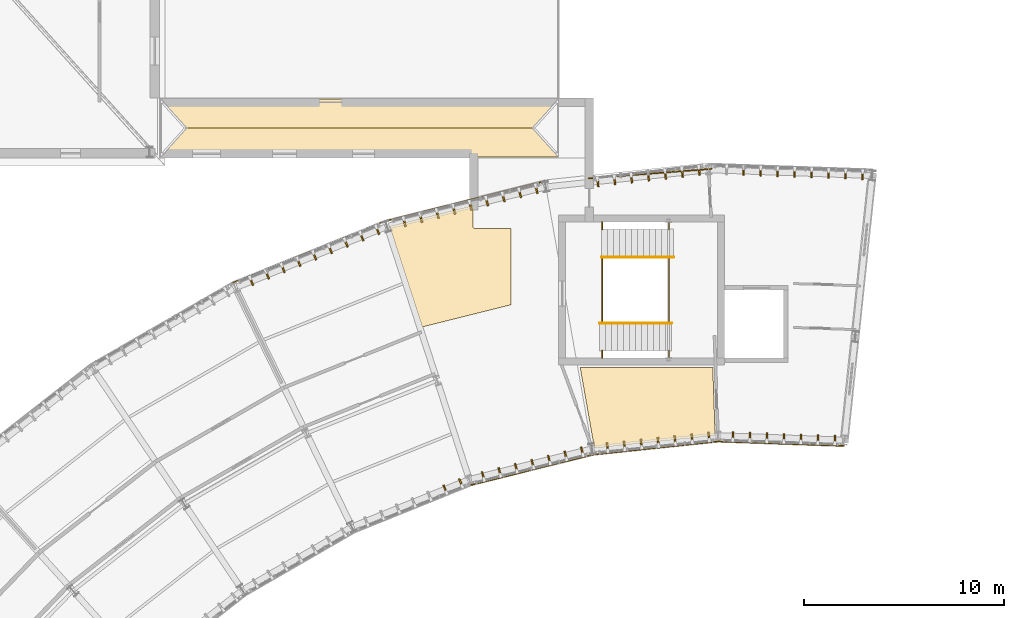
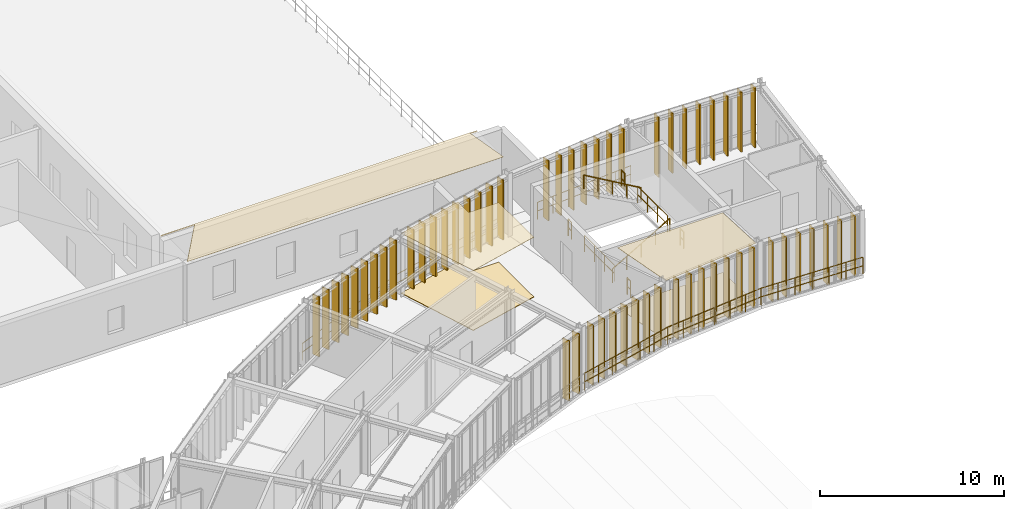
# One storey, part 56 of 57: 62 coverings, 14 railings.
"""IFC4 building model written with IfcOpenShell, lengths in metres."""

from ifc_helpers import new_model, si_unit, direction, frame, origin, origin_2d, place, context, subcontext, project, spatial, polyline, rectangle, circle, outline, extrude, material, layer, layer_set, type_object, element, save


model = new_model("IFC4")

# Units and contexts
model_context = context("Model", 3, precision=1e-05, world=origin(), true_north=direction((0.0, 1.0)))
body_context = subcontext(model_context, "Body", "Model", "MODEL_VIEW")
ifc_project = project(units=[si_unit("LENGTHUNIT", "METRE"), si_unit("AREAUNIT", "SQUARE_METRE"), si_unit("VOLUMEUNIT", "CUBIC_METRE"), si_unit("PLANEANGLEUNIT", "RADIAN"), si_unit("MASSUNIT", "GRAM", prefix="KILO"), si_unit("THERMODYNAMICTEMPERATUREUNIT", "KELVIN"), si_unit("POWERUNIT", "WATT")], contexts=[model_context])

# Site, building, storey
site_placement = place(None, origin())
site = spatial("IfcSite", under=ifc_project, at=site_placement, CompositionType="ELEMENT")
building_placement = place(site_placement, origin())
building = spatial("IfcBuilding", under=site, at=building_placement, Name="Solvatero Civic Police Headquarters", CompositionType="ELEMENT")
storey_placement = place(building_placement, frame((0.0, 0.0, 9.300048828125)))
storey = spatial("IfcBuildingStorey", under=building, at=storey_placement, Name="L02", CompositionType="ELEMENT", Elevation=9.300048828125)

# Coverings
ifc_material_1 = material(Name="Mineral-Fibre Acoustic Tile", Category="gypsum")
ifc_layer_1 = layer(ifc_material_1, 0.02490234375)
ifc_layer_set_1 = layer_set([ifc_layer_1], Name="Mineral-Fibre Acoustic Tile")
covering_type_1 = type_object("IfcCoveringType", Name="COV-CEIL-AC", PredefinedType="CEILING", material=ifc_layer_set_1)
covering_1_placement = place(storey_placement, frame((0.0, 0.0, 3.974853515625)))
element("IfcCovering", 1, at=covering_1_placement, inside=storey, type_object=covering_type_1, Name="Acoustic Ceiling Homicide and Major Crimes Squad Bay 2", PredefinedType="CEILING", context=body_context, shape_type="SweptSolid", body=[
    extrude(outline(polyline([(86.2412109375, 70.693603515625), (85.529296875, 74.72998046875), (92.158203125, 74.72998046875), (92.277099609375, 71.327880859375), (86.2412109375, 70.693603515625)])), origin(), (0.0, 0.0, 1.0), 0.025146484375),
])
covering_2_placement = place(storey_placement, frame((0.0, 0.0, 3.974853515625)))
element("IfcCovering", 2, at=covering_2_placement, inside=storey, type_object=covering_type_1, Name="Acoustic Ceiling Organised Crime Analysis Room Bay 3", PredefinedType="CEILING", context=body_context, shape_type="SweptSolid", body=[
    extrude(outline(polyline([(77.633544921875, 76.7587890625), (75.999267578125, 81.789306640625), (80.179931640625, 82.831787109375), (80.179931640625, 81.760009765625), (80.180419921875, 81.752197265625), (80.181396484375, 81.744384765625), (80.183349609375, 81.73681640625), (80.18603515625, 81.7294921875), (80.189453125, 81.722412109375), (80.193603515625, 81.715576171875), (80.1982421875, 81.709228515625), (80.203369140625, 81.703369140625), (80.209228515625, 81.6982421875), (80.215576171875, 81.693603515625), (80.222412109375, 81.689453125), (80.2294921875, 81.68603515625), (80.23681640625, 81.683349609375), (80.244384765625, 81.681396484375), (80.252197265625, 81.680419921875), (80.260009765625, 81.679931640625), (82.080078125, 81.679931640625), (82.080078125, 77.8671875), (77.633544921875, 76.7587890625)])), origin(), (0.0, 0.0, 1.0), 0.025146484375),
])
ifc_material_2 = material(Name="Anodized Bronze Aluminium", Category="aluminium")
ifc_layer_2 = layer(ifc_material_2, 0.080078125)
ifc_layer_set_2 = layer_set([ifc_layer_2], Name="Anodized Bronze Aluminium")
covering_type_2 = type_object("IfcCoveringType", Name="COV-FIN-480", PredefinedType="CLADDING", material=ifc_layer_set_2)
for number, where, z_axis, x_axis, name in (
    (3, (99.6416015625, 84.365234375, -0.02001953125), (0.0, 0.0, 1.0), (-0.999390827019, 0.034899496703, 0.0), "Vertical Brise-Soleil Fin 0367"),
    (4, (98.7919921875, 84.39501953125, -0.02001953125), (0.0, 0.0, 1.0), (-0.999390827019, 0.034899496703, 0.0), "Vertical Brise-Soleil Fin 0368"),
    (5, (97.942626953125, 84.424560546875, -0.02001953125), (0.0, 0.0, 1.0), (-0.999390827019, 0.034899496703, 0.0), "Vertical Brise-Soleil Fin 0369"),
    (6, (97.093017578125, 84.4541015625, -0.02001953125), (0.0, 0.0, 1.0), (-0.999390827019, 0.034899496703, 0.0), "Vertical Brise-Soleil Fin 0370"),
    (7, (96.24365234375, 84.48388671875, -0.02001953125), (0.0, 0.0, 1.0), (-0.999390827019, 0.034899496703, 0.0), "Vertical Brise-Soleil Fin 0371"),
    (8, (95.394287109375, 84.513427734375, -0.02001953125), (0.0, 0.0, 1.0), (-0.999390827019, 0.034899496703, 0.0), "Vertical Brise-Soleil Fin 0372"),
    (9, (94.544677734375, 84.543212890625, -0.02001953125), (0.0, 0.0, 1.0), (-0.999390827019, 0.034899496703, 0.0), "Vertical Brise-Soleil Fin 0373"),
    (10, (93.6953125, 84.572998046875, -0.02001953125), (0.0, 0.0, 1.0), (-0.999390827019, 0.034899496703, 0.0), "Vertical Brise-Soleil Fin 0374"),
    (11, (98.260986328125, 71.098876953125, -0.02001953125), (0.0, 0.0, 1.0), (-0.999390827019, 0.034899496703, 0.0), "Vertical Brise-Soleil Fin 0376"),
    (12, (97.41162109375, 71.12841796875, -0.02001953125), (0.0, 0.0, 1.0), (-0.999390827019, 0.034899496703, 0.0), "Vertical Brise-Soleil Fin 0377"),
    (13, (96.56201171875, 71.158203125, -0.02001953125), (0.0, 0.0, 1.0), (-0.999390827019, 0.034899496703, 0.0), "Vertical Brise-Soleil Fin 0378"),
    (14, (95.712646484375, 71.18798828125, -0.02001953125), (0.0, 0.0, 1.0), (-0.999390827019, 0.034899496703, 0.0), "Vertical Brise-Soleil Fin 0379"),
    (15, (94.863037109375, 71.217529296875, -0.02001953125), (0.0, 0.0, 1.0), (-0.999390827019, 0.034899496703, 0.0), "Vertical Brise-Soleil Fin 0380"),
    (16, (94.013671875, 71.247314453125, -0.02001953125), (0.0, 0.0, 1.0), (-0.999390827019, 0.034899496703, 0.0), "Vertical Brise-Soleil Fin 0381"),
    (17, (93.164306640625, 71.27685546875, -0.02001953125), (0.0, 0.0, 1.0), (-0.999390827019, 0.034899496703, 0.0), "Vertical Brise-Soleil Fin 0382"),
    (18, (91.47509765625, 84.5791015625, -0.02001953125), (0.0, 0.0, 1.0), (-0.993565927008, -0.113255236913, 0.0), "Vertical Brise-Soleil Fin 0383"),
    (19, (90.63037109375, 84.48291015625, -0.02001953125), (0.0, 0.0, 1.0), (-0.993565927008, -0.113255236913, 0.0), "Vertical Brise-Soleil Fin 0384"),
    (20, (89.785888671875, 84.386474609375, -0.02001953125), (0.0, 0.0, 1.0), (-0.993565927008, -0.113255236913, 0.0), "Vertical Brise-Soleil Fin 0385"),
    (21, (88.94140625, 84.290283203125, -0.02001953125), (0.0, 0.0, 1.0), (-0.993565927008, -0.113255236913, 0.0), "Vertical Brise-Soleil Fin 0386"),
    (22, (88.096923828125, 84.194091796875, -0.02001953125), (0.0, 0.0, 1.0), (-0.993565927008, -0.113255236913, 0.0), "Vertical Brise-Soleil Fin 0387"),
    (23, (87.252197265625, 84.09765625, -0.02001953125), (0.0, 0.0, 1.0), (-0.993565927008, -0.113255236913, 0.0), "Vertical Brise-Soleil Fin 0388"),
    (24, (86.40771484375, 84.00146484375, -0.02001953125), (0.0, 0.0, 1.0), (-0.993565927008, -0.113255236913, 0.0), "Vertical Brise-Soleil Fin 0389"),
    (25, (91.9658203125, 71.25537109375, -0.02001953125), (0.0, 0.0, 1.0), (-0.994521895368, -0.104528463268, 0.0), "Vertical Brise-Soleil Fin 0390"),
    (26, (91.12060546875, 71.16650390625, -0.02001953125), (0.0, 0.0, 1.0), (-0.994521895368, -0.104528463268, 0.0), "Vertical Brise-Soleil Fin 0391"),
    (27, (90.275146484375, 71.07763671875, -0.02001953125), (0.0, 0.0, 1.0), (-0.994521895368, -0.104528463268, 0.0), "Vertical Brise-Soleil Fin 0392"),
    (28, (89.4296875, 70.98876953125, -0.02001953125), (0.0, 0.0, 1.0), (-0.994521895368, -0.104528463268, 0.0), "Vertical Brise-Soleil Fin 0393"),
    (29, (88.58447265625, 70.89990234375, -0.02001953125), (0.0, 0.0, 1.0), (-0.994521895368, -0.104528463268, 0.0), "Vertical Brise-Soleil Fin 0394"),
    (30, (87.739013671875, 70.81103515625, -0.02001953125), (0.0, 0.0, 1.0), (-0.994521895368, -0.104528463268, 0.0), "Vertical Brise-Soleil Fin 0395"),
    (31, (86.893798828125, 70.72216796875, -0.02001953125), (0.0, 0.0, 1.0), (-0.994521895368, -0.104528463268, 0.0), "Vertical Brise-Soleil Fin 0396"),
    (32, (83.335205078125, 83.6591796875, -0.02001953125), (0.0, 0.0, 1.0), (-0.970295726276, -0.2419218956, 0.0), "Vertical Brise-Soleil Fin 0397"),
    (33, (82.510498046875, 83.45361328125, -0.02001953125), (0.0, 0.0, 1.0), (-0.970295726276, -0.2419218956, 0.0), "Vertical Brise-Soleil Fin 0398"),
    (34, (81.685791015625, 83.248046875, -0.02001953125), (0.0, 0.0, 1.0), (-0.970295726276, -0.2419218956, 0.0), "Vertical Brise-Soleil Fin 0399"),
    (35, (80.861083984375, 83.042236328125, -0.02001953125), (0.0, 0.0, 1.0), (-0.970295726276, -0.2419218956, 0.0), "Vertical Brise-Soleil Fin 0400"),
    (36, (80.036376953125, 82.836669921875, -0.02001953125), (0.0, 0.0, 1.0), (-0.970295726276, -0.2419218956, 0.0), "Vertical Brise-Soleil Fin 0401"),
    (37, (79.211669921875, 82.631103515625, -0.02001953125), (0.0, 0.0, 1.0), (-0.970295726276, -0.2419218956, 0.0), "Vertical Brise-Soleil Fin 0402"),
    (38, (78.38671875, 82.42529296875, -0.02001953125), (0.0, 0.0, 1.0), (-0.970295726276, -0.2419218956, 0.0), "Vertical Brise-Soleil Fin 0403"),
    (39, (77.56201171875, 82.2197265625, -0.02001953125), (0.0, 0.0, 1.0), (-0.970295726276, -0.2419218956, 0.0), "Vertical Brise-Soleil Fin 0404"),
    (40, (76.7373046875, 82.01416015625, -0.02001953125), (0.0, 0.0, 1.0), (-0.970295726276, -0.2419218956, 0.0), "Vertical Brise-Soleil Fin 0405"),
    (41, (85.630126953125, 70.517578125, -0.02001953125), (0.0, 0.0, 1.0), (-0.970295726276, -0.2419218956, 0.0), "Vertical Brise-Soleil Fin 0406"),
    (42, (84.805419921875, 70.31201171875, -0.02001953125), (0.0, 0.0, 1.0), (-0.970295726276, -0.2419218956, 0.0), "Vertical Brise-Soleil Fin 0407"),
    (43, (83.980712890625, 70.106201171875, -0.02001953125), (0.0, 0.0, 1.0), (-0.970295726276, -0.2419218956, 0.0), "Vertical Brise-Soleil Fin 0408"),
    (44, (83.156005859375, 69.900634765625, -0.02001953125), (0.0, 0.0, 1.0), (-0.970295726276, -0.2419218956, 0.0), "Vertical Brise-Soleil Fin 0409"),
    (45, (82.3310546875, 69.695068359375, -0.02001953125), (0.0, 0.0, 1.0), (-0.970295726276, -0.2419218956, 0.0), "Vertical Brise-Soleil Fin 0410"),
    (46, (81.50634765625, 69.489501953125, -0.02001953125), (0.0, 0.0, 1.0), (-0.970295726276, -0.2419218956, 0.0), "Vertical Brise-Soleil Fin 0411"),
    (47, (80.681640625, 69.28369140625, -0.02001953125), (0.0, 0.0, 1.0), (-0.970295726276, -0.2419218956, 0.0), "Vertical Brise-Soleil Fin 0412"),
    (48, (75.391357421875, 81.6044921875, -0.02001953125), (0.0, 0.0, 1.0), (-0.927183854567, -0.374606593416, 0.0), "Vertical Brise-Soleil Fin 0413"),
    (49, (74.603271484375, 81.2861328125, -0.02001953125), (0.0, 0.0, 1.0), (-0.927183854567, -0.374606593416, 0.0), "Vertical Brise-Soleil Fin 0414"),
    (50, (73.815185546875, 80.9677734375, -0.02001953125), (0.0, 0.0, 1.0), (-0.927183854567, -0.374606593416, 0.0), "Vertical Brise-Soleil Fin 0415"),
    (51, (73.027099609375, 80.6494140625, -0.02001953125), (0.0, 0.0, 1.0), (-0.927183854567, -0.374606593416, 0.0), "Vertical Brise-Soleil Fin 0416"),
    (52, (72.239013671875, 80.330810546875, -0.02001953125), (0.0, 0.0, 1.0), (-0.927183854567, -0.374606593416, 0.0), "Vertical Brise-Soleil Fin 0417"),
    (53, (71.450927734375, 80.012451171875, -0.02001953125), (0.0, 0.0, 1.0), (-0.927183854567, -0.374606593416, 0.0), "Vertical Brise-Soleil Fin 0418"),
    (54, (70.662841796875, 79.694091796875, -0.02001953125), (0.0, 0.0, 1.0), (-0.927183854567, -0.374606593416, 0.0), "Vertical Brise-Soleil Fin 0419"),
    (55, (69.874755859375, 79.375732421875, -0.02001953125), (0.0, 0.0, 1.0), (-0.927183854567, -0.374606593416, 0.0), "Vertical Brise-Soleil Fin 0420"),
    (56, (69.086669921875, 79.057373046875, -0.02001953125), (0.0, 0.0, 1.0), (-0.927183854567, -0.374606593416, 0.0), "Vertical Brise-Soleil Fin 0421"),
    (57, (79.570556640625, 68.941650390625, -0.02001953125), (0.0, 0.0, 1.0), (-0.927183854567, -0.374606593416, 0.0), "Vertical Brise-Soleil Fin 0422"),
    (58, (78.782470703125, 68.623291015625, -0.02001953125), (0.0, 0.0, 1.0), (-0.927183854567, -0.374606593416, 0.0), "Vertical Brise-Soleil Fin 0423"),
):
    element("IfcCovering", number, at=place(storey_placement, frame(where, z_axis=z_axis, x_axis=x_axis)), inside=storey, type_object=covering_type_2, Name=name, PredefinedType="CLADDING", context=body_context, shape_type="SweptSolid", body=[
        extrude(rectangle(XDim=0.080078125, YDim=0.47998046875, at=origin_2d()), origin(), (0.0, 0.0, 1.0), 3.97998046875),
    ])
ifc_material_3 = material(Name="Venetian Terrazzo Stone", Category="masonry")
ifc_layer_3 = layer(ifc_material_3, 0.034912109375)
ifc_layer_set_3 = layer_set([ifc_layer_3], Name="Venetian Terrazzo Stone")
covering_type_3 = type_object("IfcCoveringType", Name="COV-FLR-TER", PredefinedType="FLOORING", material=ifc_layer_set_3)
covering_3_placement = place(storey_placement, origin())
element("IfcCovering", 59, at=covering_3_placement, inside=storey, type_object=covering_type_3, Name="Flooring Homicide and Major Crimes Squad Bay 2", PredefinedType="FLOORING", context=body_context, shape_type="SweptSolid", body=[
    extrude(outline(polyline([(86.2412109375, 70.693603515625), (85.529296875, 74.72998046875), (92.158203125, 74.72998046875), (92.277099609375, 71.327880859375), (86.2412109375, 70.693603515625)])), origin(), (0.0, 0.0, 1.0), 0.034912109375),
])
covering_4_placement = place(storey_placement, origin())
element("IfcCovering", 60, at=covering_4_placement, inside=storey, type_object=covering_type_3, Name="Flooring Organised Crime Analysis Room Bay 3", PredefinedType="FLOORING", context=body_context, shape_type="SweptSolid", body=[
    extrude(outline(polyline([(77.633544921875, 76.7587890625), (75.999267578125, 81.789306640625), (80.179931640625, 82.831787109375), (80.179931640625, 81.760009765625), (80.180419921875, 81.752197265625), (80.181396484375, 81.744384765625), (80.183349609375, 81.73681640625), (80.18603515625, 81.7294921875), (80.189453125, 81.722412109375), (80.193603515625, 81.715576171875), (80.1982421875, 81.709228515625), (80.203369140625, 81.703369140625), (80.209228515625, 81.6982421875), (80.215576171875, 81.693603515625), (80.222412109375, 81.689453125), (80.2294921875, 81.68603515625), (80.23681640625, 81.683349609375), (80.244384765625, 81.681396484375), (80.252197265625, 81.680419921875), (80.260009765625, 81.679931640625), (82.080078125, 81.679931640625), (82.080078125, 77.8671875), (77.633544921875, 76.7587890625)])), origin(), (0.0, 0.0, 1.0), 0.034912109375),
])
ifc_material_4 = material(Name="Lombard Terracotta Clay Tile", Category="masonry")
ifc_layer_4 = layer(ifc_material_4, 0.06005859375)
ifc_layer_set_4 = layer_set([ifc_layer_4], Name="Lombard Terracotta Clay Tile")
covering_type_4 = type_object("IfcCoveringType", Name="COV-RF-TILE", PredefinedType="ROOFING", material=ifc_layer_set_4)
for number, where, z_axis, x_axis, name in (
    (61, (64.550048828125, 85.25, 4.030029296875), (0.0, -0.631187358945, 0.775630400325), (1.0, 0.0, 0.0), "V7CORR Lombard Terracotta Hipped Roof Covering S"),
    (62, (84.449951171875, 88.14990234375, 4.030029296875), (0.0, 0.631187358945, 0.775630400325), (-1.0, 0.0, 0.0), "V7CORR Lombard Terracotta Hipped Roof Covering N"),
):
    element("IfcCovering", number, at=place(storey_placement, frame(where, z_axis=z_axis, x_axis=x_axis)), inside=storey, type_object=covering_type_4, Name=name, PredefinedType="ROOFING", context=body_context, shape_type="SweptSolid", body=[
        extrude(outline(polyline([(0.0, 0.0), (19.89990234375, 0.0), (18.58984375, 1.8693841438745782), (1.31005859375, 1.8693841438745782), (0.0, 0.0)])), origin(), (0.0, 0.0, -1.0), 0.06005859375),
    ])

# Railings
ifc_material_5 = material(Name="Anodized Bronze and Laminated Glass", Category="glass")
railing_type_1 = type_object("IfcRailingType", Name="RL-BAL-115", PredefinedType="BALUSTRADE", material=ifc_material_5)
railing_1_placement = place(storey_placement, frame((85.949951171875, 84.179931640625, 0.0)))
element("IfcRailing", 63, at=railing_1_placement, inside=storey, type_object=railing_type_1, Name="Glazed Facade Sill Balustrade RL-L02-ARCOUT-B02E", PredefinedType="BALUSTRADE", context=body_context, shape_type="SweptSolid", body=[
    extrude(circle(Radius=0.02392578125, at=origin_2d()), frame((0.0, 0.0, 1.1259765625), z_axis=(0.996968428446, 0.077807150583, 0.0), x_axis=(-0.077807150583, 0.996968428446, 0.0)), (0.0, 0.0, 1.0), 6.1689453125),
    extrude(circle(Radius=0.02392578125, at=origin_2d()), frame((0.0, 0.0, 0.55078125), z_axis=(0.996968428446, 0.077807150583, 0.0), x_axis=(-0.077807150583, 0.996968428446, 0.0)), (0.0, 0.0, 1.0), 6.1689453125),
    extrude(circle(Radius=0.02099609375, at=origin_2d()), origin(), (0.0, 0.0, 1.0), 1.101806640625),
    extrude(circle(Radius=0.02099609375, at=origin_2d()), frame((1.02490234375, 0.080078125, 0.0)), (0.0, 0.0, 1.0), 1.101806640625),
    extrude(circle(Radius=0.02099609375, at=origin_2d()), frame((2.050048828125, 0.159912109375, 0.0)), (0.0, 0.0, 1.0), 1.101806640625),
    extrude(circle(Radius=0.02099609375, at=origin_2d()), frame((3.0751953125, 0.239990234375, 0.0)), (0.0, 0.0, 1.0), 1.101806640625),
    extrude(circle(Radius=0.02099609375, at=origin_2d()), frame((4.10009765625, 0.320068359375, 0.0)), (0.0, 0.0, 1.0), 1.101806640625),
    extrude(circle(Radius=0.02099609375, at=origin_2d()), frame((5.125, 0.39990234375, 0.0)), (0.0, 0.0, 1.0), 1.101806640625),
    extrude(circle(Radius=0.02099609375, at=origin_2d()), frame((6.150146484375, 0.47998046875, 0.0)), (0.0, 0.0, 1.0), 1.101806640625),
])
railing_2_placement = place(storey_placement, frame((98.710205078125, 70.813232421875, 0.0)))
element("IfcRailing", 64, at=railing_2_placement, inside=storey, type_object=railing_type_1, Name="Glazed Facade Sill Balustrade RL-L02-ARCIN-B01", PredefinedType="BALUSTRADE", context=body_context, shape_type="SweptSolid", body=[
    extrude(circle(Radius=0.02392578125, at=origin_2d()), frame((0.0, 0.0, 1.1259765625), z_axis=(-0.999390354314, 0.034913030564, 0.0), x_axis=(-0.034913030564, -0.999390354314, 0.0)), (0.0, 0.0, 1.0), 6.28662109375),
    extrude(circle(Radius=0.02392578125, at=origin_2d()), frame((0.0, 0.0, 0.55078125), z_axis=(-0.999390354314, 0.034913030564, 0.0), x_axis=(-0.034913030564, -0.999390354314, 0.0)), (0.0, 0.0, 1.0), 6.28662109375),
    extrude(circle(Radius=0.02099609375, at=origin_2d()), origin(), (0.0, 0.0, 1.0), 1.101806640625),
    extrude(circle(Radius=0.02099609375, at=origin_2d()), frame((-1.047119140625, 0.03662109375, 0.0)), (0.0, 0.0, 1.0), 1.101806640625),
    extrude(circle(Radius=0.02099609375, at=origin_2d()), frame((-2.09423828125, 0.0732421875, 0.0)), (0.0, 0.0, 1.0), 1.101806640625),
    extrude(circle(Radius=0.02099609375, at=origin_2d()), frame((-3.141357421875, 0.10986328125, 0.0)), (0.0, 0.0, 1.0), 1.101806640625),
    extrude(circle(Radius=0.02099609375, at=origin_2d()), frame((-4.1884765625, 0.146240234375, 0.0)), (0.0, 0.0, 1.0), 1.101806640625),
    extrude(circle(Radius=0.02099609375, at=origin_2d()), frame((-5.235595703125, 0.182861328125, 0.0)), (0.0, 0.0, 1.0), 1.101806640625),
    extrude(circle(Radius=0.02099609375, at=origin_2d()), frame((-6.28271484375, 0.219482421875, 0.0)), (0.0, 0.0, 1.0), 1.101806640625),
])
railing_3_placement = place(storey_placement, frame((92.427490234375, 71.03271484375, 0.0)))
element("IfcRailing", 65, at=railing_3_placement, inside=storey, type_object=railing_type_1, Name="Glazed Facade Sill Balustrade RL-L02-ARCIN-B02", PredefinedType="BALUSTRADE", context=body_context, shape_type="SweptSolid", body=[
    extrude(circle(Radius=0.02392578125, at=origin_2d()), frame((0.0, 0.0, 1.1259765625), z_axis=(-0.994520338393, -0.104543275839, 0.0), x_axis=(0.104543275839, -0.994520338393, 0.0)), (0.0, 0.0, 1.0), 6.28662109375),
    extrude(circle(Radius=0.02392578125, at=origin_2d()), frame((0.0, 0.0, 0.55078125), z_axis=(-0.994520338393, -0.104543275839, 0.0), x_axis=(0.104543275839, -0.994520338393, 0.0)), (0.0, 0.0, 1.0), 6.28662109375),
    extrude(circle(Radius=0.02099609375, at=origin_2d()), origin(), (0.0, 0.0, 1.0), 1.101806640625),
    extrude(circle(Radius=0.02099609375, at=origin_2d()), frame((-1.0419921875, -0.109619140625, 0.0)), (0.0, 0.0, 1.0), 1.101806640625),
    extrude(circle(Radius=0.02099609375, at=origin_2d()), frame((-2.083984375, -0.218994140625, 0.0)), (0.0, 0.0, 1.0), 1.101806640625),
    extrude(circle(Radius=0.02099609375, at=origin_2d()), frame((-3.1259765625, -0.32861328125, 0.0)), (0.0, 0.0, 1.0), 1.101806640625),
    extrude(circle(Radius=0.02099609375, at=origin_2d()), frame((-4.168212890625, -0.438232421875, 0.0)), (0.0, 0.0, 1.0), 1.101806640625),
    extrude(circle(Radius=0.02099609375, at=origin_2d()), frame((-5.210205078125, -0.547607421875, 0.0)), (0.0, 0.0, 1.0), 1.101806640625),
    extrude(circle(Radius=0.02099609375, at=origin_2d()), frame((-6.252197265625, -0.6572265625, 0.0)), (0.0, 0.0, 1.0), 1.101806640625),
])
railing_4_placement = place(storey_placement, frame((86.17529296875, 70.37548828125, 0.0)))
element("IfcRailing", 66, at=railing_4_placement, inside=storey, type_object=railing_type_1, Name="Glazed Facade Sill Balustrade RL-L02-ARCIN-B03", PredefinedType="BALUSTRADE", context=body_context, shape_type="SweptSolid", body=[
    extrude(circle(Radius=0.02392578125, at=origin_2d()), frame((0.0, 0.0, 1.1259765625), z_axis=(-0.970288531479, -0.241950750525, 0.0), x_axis=(0.241950750525, -0.970288531479, 0.0)), (0.0, 0.0, 1.0), 6.286376953125),
    extrude(circle(Radius=0.02392578125, at=origin_2d()), frame((0.0, 0.0, 0.55078125), z_axis=(-0.970288531479, -0.241950750525, 0.0), x_axis=(0.241950750525, -0.970288531479, 0.0)), (0.0, 0.0, 1.0), 6.286376953125),
    extrude(circle(Radius=0.02099609375, at=origin_2d()), origin(), (0.0, 0.0, 1.0), 1.101806640625),
    extrude(circle(Radius=0.02099609375, at=origin_2d()), frame((-1.0166015625, -0.25341796875, 0.0)), (0.0, 0.0, 1.0), 1.101806640625),
    extrude(circle(Radius=0.02099609375, at=origin_2d()), frame((-2.033203125, -0.507080078125, 0.0)), (0.0, 0.0, 1.0), 1.101806640625),
    extrude(circle(Radius=0.02099609375, at=origin_2d()), frame((-3.0498046875, -0.760498046875, 0.0)), (0.0, 0.0, 1.0), 1.101806640625),
    extrude(circle(Radius=0.02099609375, at=origin_2d()), frame((-4.06640625, -1.013916015625, 0.0)), (0.0, 0.0, 1.0), 1.101806640625),
    extrude(circle(Radius=0.02099609375, at=origin_2d()), frame((-5.0830078125, -1.267578125, 0.0)), (0.0, 0.0, 1.0), 1.101806640625),
    extrude(circle(Radius=0.02099609375, at=origin_2d()), frame((-6.099609375, -1.52099609375, 0.0)), (0.0, 0.0, 1.0), 1.101806640625),
])
railing_5_placement = place(storey_placement, frame((83.76513671875, 84.044677734375, 0.0)))
element("IfcRailing", 67, at=railing_5_placement, inside=storey, type_object=railing_type_1, Name="Glazed Facade Sill Balustrade RL-L02-ARCOUT-B03", PredefinedType="BALUSTRADE", context=body_context, shape_type="SweptSolid", body=[
    extrude(circle(Radius=0.02392578125, at=origin_2d()), frame((0.0, 0.0, 1.1259765625), z_axis=(-0.970295999012, -0.241920801712, 0.0), x_axis=(0.241920801712, -0.970295999012, 0.0)), (0.0, 0.0, 1.0), 8.22265625),
    extrude(circle(Radius=0.02392578125, at=origin_2d()), frame((0.0, 0.0, 0.55078125), z_axis=(-0.970295999012, -0.241920801712, 0.0), x_axis=(0.241920801712, -0.970295999012, 0.0)), (0.0, 0.0, 1.0), 8.22265625),
    extrude(circle(Radius=0.02099609375, at=origin_2d()), origin(), (0.0, 0.0, 1.0), 1.101806640625),
    extrude(circle(Radius=0.02099609375, at=origin_2d()), frame((-1.139892578125, -0.2841796875, 0.0)), (0.0, 0.0, 1.0), 1.101806640625),
    extrude(circle(Radius=0.02099609375, at=origin_2d()), frame((-2.279541015625, -0.568359375, 0.0)), (0.0, 0.0, 1.0), 1.101806640625),
    extrude(circle(Radius=0.02099609375, at=origin_2d()), frame((-3.41943359375, -0.8525390625, 0.0)), (0.0, 0.0, 1.0), 1.101806640625),
    extrude(circle(Radius=0.02099609375, at=origin_2d()), frame((-4.55908203125, -1.13671875, 0.0)), (0.0, 0.0, 1.0), 1.101806640625),
    extrude(circle(Radius=0.02099609375, at=origin_2d()), frame((-5.698974609375, -1.4208984375, 0.0)), (0.0, 0.0, 1.0), 1.101806640625),
    extrude(circle(Radius=0.02099609375, at=origin_2d()), frame((-6.838623046875, -1.705078125, 0.0)), (0.0, 0.0, 1.0), 1.101806640625),
    extrude(circle(Radius=0.02099609375, at=origin_2d()), frame((-7.978515625, -1.9892578125, 0.0)), (0.0, 0.0, 1.0), 1.101806640625),
])
railing_6_placement = place(storey_placement, frame((75.78662109375, 82.055419921875, 0.0)))
element("IfcRailing", 68, at=railing_6_placement, inside=storey, type_object=railing_type_1, Name="Glazed Facade Sill Balustrade RL-L02-ARCOUT-B04", PredefinedType="BALUSTRADE", context=body_context, shape_type="SweptSolid", body=[
    extrude(circle(Radius=0.02392578125, at=origin_2d()), frame((0.0, 0.0, 1.1259765625), z_axis=(-0.927176996953, -0.374623566158, 0.0), x_axis=(0.374623566158, -0.927176996953, 0.0)), (0.0, 0.0, 1.0), 8.22314453125),
    extrude(circle(Radius=0.02392578125, at=origin_2d()), frame((0.0, 0.0, 0.55078125), z_axis=(-0.927176996953, -0.374623566158, 0.0), x_axis=(0.374623566158, -0.927176996953, 0.0)), (0.0, 0.0, 1.0), 8.22314453125),
    extrude(circle(Radius=0.02099609375, at=origin_2d()), origin(), (0.0, 0.0, 1.0), 1.101806640625),
    extrude(circle(Radius=0.02099609375, at=origin_2d()), frame((-1.089111328125, -0.440185546875, 0.0)), (0.0, 0.0, 1.0), 1.101806640625),
    extrude(circle(Radius=0.02099609375, at=origin_2d()), frame((-2.178466796875, -0.880126953125, 0.0)), (0.0, 0.0, 1.0), 1.101806640625),
    extrude(circle(Radius=0.02099609375, at=origin_2d()), frame((-3.267578125, -1.3203125, 0.0)), (0.0, 0.0, 1.0), 1.101806640625),
    extrude(circle(Radius=0.02099609375, at=origin_2d()), frame((-4.356689453125, -1.76025390625, 0.0)), (0.0, 0.0, 1.0), 1.101806640625),
    extrude(circle(Radius=0.02099609375, at=origin_2d()), frame((-5.44580078125, -2.200439453125, 0.0)), (0.0, 0.0, 1.0), 1.101806640625),
    extrude(circle(Radius=0.02099609375, at=origin_2d()), frame((-6.53515625, -2.640380859375, 0.0)), (0.0, 0.0, 1.0), 1.101806640625),
    extrude(circle(Radius=0.02099609375, at=origin_2d()), frame((-7.624267578125, -3.08056640625, 0.0)), (0.0, 0.0, 1.0), 1.101806640625),
])
ifc_material_6 = material(Name="Painted Galvanized Steel", Category="steel")
railing_type_2 = type_object("IfcRailingType", Name="RL-GRD-110", PredefinedType="GUARDRAIL", material=ifc_material_6)
railing_7_placement = place(storey_placement, frame((86.6298828125, 76.97998046875, 0.0)))
element("IfcRailing", 69, at=railing_7_placement, inside=storey, type_object=railing_type_2, Name="ST-C3 L02 Floor Well Guardrail", PredefinedType="GUARDRAIL", context=body_context, shape_type="SweptSolid", body=[
    extrude(circle(Radius=0.02392578125, at=origin_2d()), frame((0.0, 0.0, 1.09619140625), z_axis=(0.0, 1.0, 0.0), x_axis=(-1.0, 0.0, 0.0)), (0.0, 0.0, 1.0), 3.239990234375),
    extrude(circle(Radius=0.02392578125, at=origin_2d()), frame((0.0, 0.0, 0.5361328125), z_axis=(0.0, 1.0, 0.0), x_axis=(-1.0, 0.0, 0.0)), (0.0, 0.0, 1.0), 3.239990234375),
    extrude(circle(Radius=0.02099609375, at=origin_2d()), origin(), (0.0, 0.0, 1.0), 1.072021484375),
    extrude(circle(Radius=0.02099609375, at=origin_2d()), frame((0.0, 1.080078125, 0.0)), (0.0, 0.0, 1.0), 1.072021484375),
    extrude(circle(Radius=0.02099609375, at=origin_2d()), frame((0.0, 2.159912109375, 0.0)), (0.0, 0.0, 1.0), 1.072021484375),
    extrude(circle(Radius=0.02099609375, at=origin_2d()), frame((0.0, 3.239990234375, 0.0)), (0.0, 0.0, 1.0), 1.072021484375),
])
for number, where, name in (
    (70, (86.6298828125, 75.2099609375, 0.0), "ST-C3 L02 Floor Well South Slot Guardrail"),
    (71, (86.6298828125, 81.6298828125, 0.0), "ST-C3 L02 Floor Well North Slot Guardrail"),
):
    element("IfcRailing", number, at=place(storey_placement, frame(where)), inside=storey, type_object=railing_type_2, Name=name, PredefinedType="GUARDRAIL", context=body_context, shape_type="SweptSolid", body=[
        extrude(circle(Radius=0.02392578125, at=origin_2d()), frame((0.0, 0.0, 1.09619140625), z_axis=(0.0, 1.0, 0.0), x_axis=(-1.0, 0.0, 0.0)), (0.0, 0.0, 1.0), 0.360107421875),
        extrude(circle(Radius=0.02392578125, at=origin_2d()), frame((0.0, 0.0, 0.5361328125), z_axis=(0.0, 1.0, 0.0), x_axis=(-1.0, 0.0, 0.0)), (0.0, 0.0, 1.0), 0.360107421875),
        extrude(circle(Radius=0.02099609375, at=origin_2d()), origin(), (0.0, 0.0, 1.0), 1.072021484375),
        extrude(circle(Radius=0.02099609375, at=origin_2d()), frame((0.0, 0.360107421875, 0.0)), (0.0, 0.0, 1.0), 1.072021484375),
    ])
railing_8_placement = place(storey_placement, frame((89.969970703125, 76.97998046875, 2.099853515625)))
element("IfcRailing", 72, at=railing_8_placement, inside=storey, type_object=railing_type_2, Name="ST-C3 L02 Half-Landing Well Guardrail", PredefinedType="GUARDRAIL", context=body_context, shape_type="SweptSolid", body=[
    extrude(circle(Radius=0.02392578125, at=origin_2d()), frame((0.0, 0.0, 1.09619140625), z_axis=(0.0, 1.0, 0.0), x_axis=(-1.0, 0.0, 0.0)), (0.0, 0.0, 1.0), 3.239990234375),
    extrude(circle(Radius=0.02392578125, at=origin_2d()), frame((0.0, 0.0, 0.5361328125), z_axis=(0.0, 1.0, 0.0), x_axis=(-1.0, 0.0, 0.0)), (0.0, 0.0, 1.0), 3.239990234375),
    extrude(circle(Radius=0.02099609375, at=origin_2d()), origin(), (0.0, 0.0, 1.0), 1.072021484375),
    extrude(circle(Radius=0.02099609375, at=origin_2d()), frame((0.0, 1.080078125, 0.0)), (0.0, 0.0, 1.0), 1.072021484375),
    extrude(circle(Radius=0.02099609375, at=origin_2d()), frame((0.0, 2.159912109375, 0.0)), (0.0, 0.0, 1.0), 1.072021484375),
    extrude(circle(Radius=0.02099609375, at=origin_2d()), frame((0.0, 3.239990234375, 0.0)), (0.0, 0.0, 1.0), 1.072021484375),
])
for number, where, name in (
    (73, (89.969970703125, 75.2099609375, 2.099853515625), "ST-C3 L02 Half-Landing South Slot Guardrail"),
    (74, (89.969970703125, 81.6298828125, 2.099853515625), "ST-C3 L02 Half-Landing North Slot Guardrail"),
):
    element("IfcRailing", number, at=place(storey_placement, frame(where)), inside=storey, type_object=railing_type_2, Name=name, PredefinedType="GUARDRAIL", context=body_context, shape_type="SweptSolid", body=[
        extrude(circle(Radius=0.02392578125, at=origin_2d()), frame((0.0, 0.0, 1.09619140625), z_axis=(0.0, 1.0, 0.0), x_axis=(-1.0, 0.0, 0.0)), (0.0, 0.0, 1.0), 0.360107421875),
        extrude(circle(Radius=0.02392578125, at=origin_2d()), frame((0.0, 0.0, 0.5361328125), z_axis=(0.0, 1.0, 0.0), x_axis=(-1.0, 0.0, 0.0)), (0.0, 0.0, 1.0), 0.360107421875),
        extrude(circle(Radius=0.02099609375, at=origin_2d()), origin(), (0.0, 0.0, 1.0), 1.072021484375),
        extrude(circle(Radius=0.02099609375, at=origin_2d()), frame((0.0, 0.360107421875, 0.0)), (0.0, 0.0, 1.0), 1.072021484375),
    ])
ifc_material_7 = material(Name="Brushed Stainless Steel", Category="steel")
railing_type_3 = type_object("IfcRailingType", Name="RL-HND-092", PredefinedType="HANDRAIL", material=ifc_material_7)
railing_9_placement = place(storey_placement, frame((86.5, 76.949951171875, 0.0)))
element("IfcRailing", 75, at=railing_9_placement, inside=storey, type_object=railing_type_3, Name="ST-C3 L02 Flight 1 Handrail", PredefinedType="HANDRAIL", context=body_context, shape_type="SweptSolid", body=[
    extrude(circle(Radius=0.02392578125, at=origin_2d()), frame((0.0, 0.0, 0.89599609375), z_axis=(0.863800146258, 0.0, 0.503834603144), x_axis=(0.0, 1.0, 0.0)), (0.0, 0.0, 1.0), 4.167724609375),
    extrude(circle(Radius=0.02099609375, at=origin_2d()), origin(), (0.0, 0.0, 1.0), 0.871826171875),
    extrude(circle(Radius=0.02099609375, at=origin_2d()), frame((0.89990234375, 0.0, 0.52490234375)), (0.0, 0.0, 1.0), 0.871826171875),
    extrude(circle(Radius=0.02099609375, at=origin_2d()), frame((1.800048828125, 0.0, 1.0498046875)), (0.0, 0.0, 1.0), 0.871826171875),
    extrude(circle(Radius=0.02099609375, at=origin_2d()), frame((2.7001953125, 0.0, 1.574951171875)), (0.0, 0.0, 1.0), 0.871826171875),
    extrude(circle(Radius=0.02099609375, at=origin_2d()), frame((3.60009765625, 0.0, 2.099853515625)), (0.0, 0.0, 1.0), 0.871826171875),
])
railing_10_placement = place(storey_placement, frame((90.199951171875, 80.25, 2.099853515625)))
element("IfcRailing", 76, at=railing_10_placement, inside=storey, type_object=railing_type_3, Name="ST-C3 L02 Flight 2 Handrail", PredefinedType="HANDRAIL", context=body_context, shape_type="SweptSolid", body=[
    extrude(circle(Radius=0.02392578125, at=origin_2d()), frame((0.0, 0.0, 0.89599609375), z_axis=(-0.863759778359, 0.0, 0.503903805591), x_axis=(0.0, -1.0, 0.0)), (0.0, 0.0, 1.0), 4.167724609375),
    extrude(circle(Radius=0.02099609375, at=origin_2d()), origin(), (0.0, 0.0, 1.0), 0.871826171875),
    extrude(circle(Radius=0.02099609375, at=origin_2d()), frame((-0.89990234375, 0.0, 0.52490234375)), (0.0, 0.0, 1.0), 0.871826171875),
    extrude(circle(Radius=0.02099609375, at=origin_2d()), frame((-1.7998046875, 0.0, 1.050048828125)), (0.0, 0.0, 1.0), 0.871826171875),
    extrude(circle(Radius=0.02099609375, at=origin_2d()), frame((-2.699951171875, 0.0, 1.5751953125)), (0.0, 0.0, 1.0), 0.871826171875),
    extrude(circle(Radius=0.02099609375, at=origin_2d()), frame((-3.599853515625, 0.0, 2.10009765625)), (0.0, 0.0, 1.0), 0.871826171875),
])

save(model, "model.ifc")
